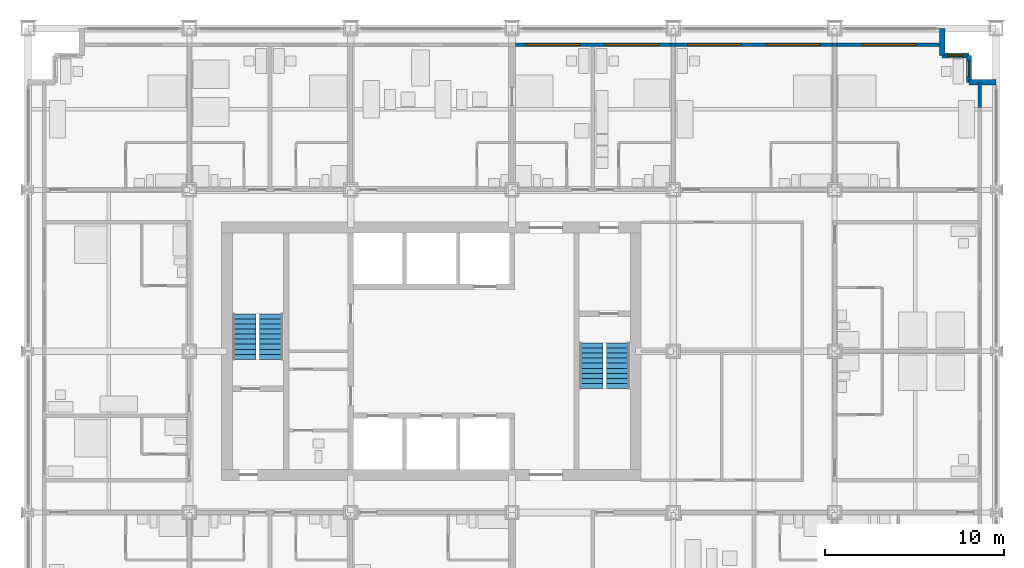
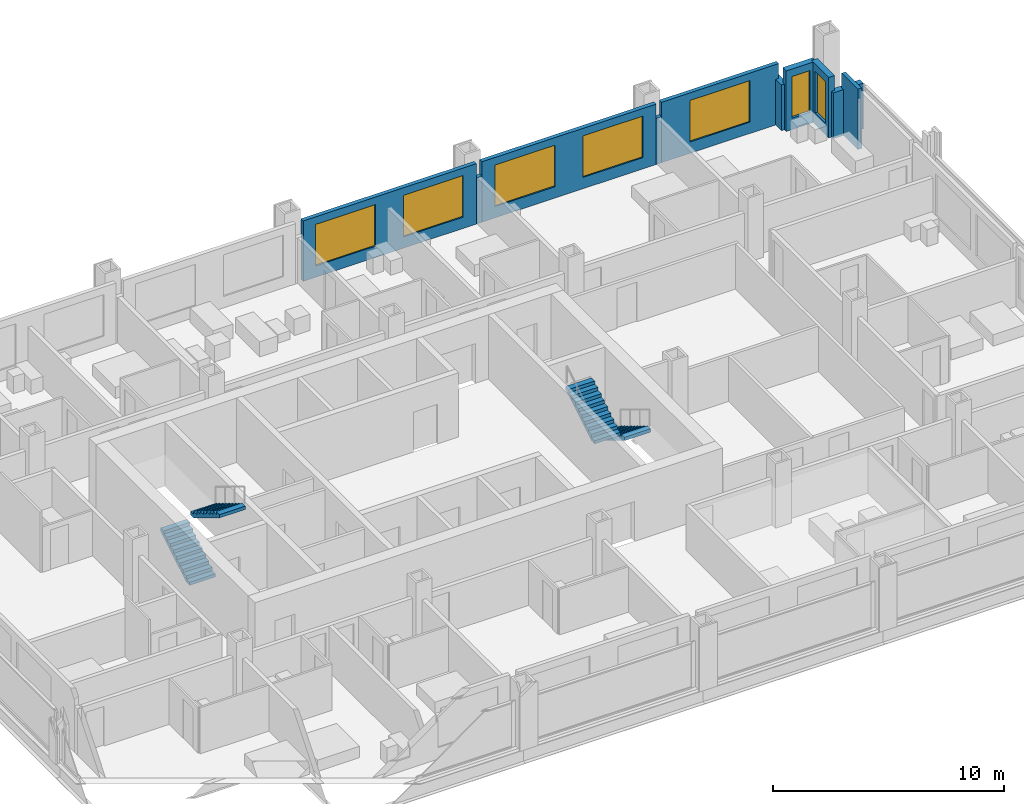
# One storey, part 15 of 18: 10 walls, 7 windows, 4 stair flights, 7 openings, 2 elements without a shape of their own.
"""IFC4 building model written with IfcOpenShell, lengths in metres."""

from ifc_helpers import new_model, si_unit, direction, frame, frame_2d, origin, place, context, subcontext, project, spatial, polyline, rectangle, outline, extrude, material, layer, layer_set, type_object, element, fill, aggregate, save


model = new_model("IFC4")

# Units and contexts
model_context = context("Model", 3, precision=1e-05, world=origin(), true_north=direction((0.0, 1.0)))
body_context = subcontext(model_context, "Body", "Model", "MODEL_VIEW")
ifc_project = project(units=[si_unit("LENGTHUNIT", "METRE"), si_unit("AREAUNIT", "SQUARE_METRE"), si_unit("VOLUMEUNIT", "CUBIC_METRE"), si_unit("PLANEANGLEUNIT", "RADIAN"), si_unit("MASSUNIT", "GRAM", prefix="KILO")], contexts=[model_context])

# Site, building, storey
site_placement = place(None, origin())
site = spatial("IfcSite", under=ifc_project, at=site_placement, CompositionType="ELEMENT")
building_placement = place(site_placement, origin())
building = spatial("IfcBuilding", under=site, at=building_placement, Name="Loomwork Tower", CompositionType="ELEMENT")
storey_placement = place(building_placement, frame((0.0, 0.0, 34.800048828125)))
storey = spatial("IfcBuildingStorey", under=building, at=storey_placement, Name="L07", CompositionType="ELEMENT", Elevation=34.800048828125)

# Wall, openings, windows
ifc_material_1 = material(Name="Insulated steel stud wall with gypsum lining", Category="steel")
ifc_layer_1 = layer(ifc_material_1, 0.199951171875)
ifc_layer_set_1 = layer_set([ifc_layer_1], Name="Inner skin wall 200")
wall_type_1 = type_object("IfcWallType", Name="Inner skin wall 200", PredefinedType="SOLIDWALL", material=ifc_layer_set_1)
wall_1_placement = place(storey_placement, frame((27.19384765625, 35.10009765625, 0.0), z_axis=(0.0, 0.0, 1.0), x_axis=(1.0, 0.0, 0.0)))
wall_1 = element("IfcWall", 1, at=wall_1_placement, inside=storey, type_object=wall_type_1, Name="Inner skin wall N bay 7", PredefinedType="SOLIDWALL", context=body_context, shape_type="SweptSolid", body=[
    extrude(rectangle(XDim=8.670654296875, YDim=0.199951171875, at=frame_2d((4.33544921875, 0.0))), origin(), (0.0, 0.0, 1.0), 3.199951171875),
])
opening_1_placement = place(wall_1_placement, frame((0.606201171875, 0.0, 0.60009765625)))
opening_1 = element("IfcOpeningElement", 2, at=opening_1_placement, cuts=wall_1, Name="Opening CH1", PredefinedType="OPENING", context=body_context, shape_type="SweptSolid", body=[
    extrude(rectangle(XDim=3.0, YDim=2.199951171875, at=frame_2d((1.5, 1.10009765625))), frame((0.0, 0.10986328125, 0.0), z_axis=(0.0, -1.0, 0.0), x_axis=(1.0, 0.0, 0.0)), (0.0, 0.0, 1.0), 0.219970703125),
])
opening_2_placement = place(wall_1_placement, frame((5.006103515625, 0.0, 0.60009765625)))
opening_2 = element("IfcOpeningElement", 3, at=opening_2_placement, cuts=wall_1, Name="Opening CH1", PredefinedType="OPENING", context=body_context, shape_type="SweptSolid", body=[
    extrude(rectangle(XDim=3.0, YDim=2.199951171875, at=frame_2d((1.5, 1.10009765625))), frame((0.0, 0.10986328125, 0.0), z_axis=(0.0, -1.0, 0.0), x_axis=(1.0, 0.0, 0.0)), (0.0, 0.0, 1.0), 0.219970703125),
])
ifc_material_2 = material(Name="Aluminium frame with clear insulated glass", Category="aluminium")
window_type_1 = type_object("IfcWindowType", Name="Chicago window 3000", PartitioningType="TRIPLE_PANEL_VERTICAL", PredefinedType="WINDOW", material=ifc_material_2)
window_1_placement = place(opening_1_placement, origin())
window_1 = element("IfcWindow", 4, at=window_1_placement, inside=storey, type_object=window_type_1, Name="Chicago window L07 bay 10", OverallHeight=2.199951171875, OverallWidth=3.0, PartitioningType="TRIPLE_PANEL_VERTICAL", PredefinedType="WINDOW", context=body_context, shape_type="SweptSolid", body=[
    extrude(rectangle(XDim=3.0, YDim=2.199951171875, at=frame_2d((1.5, 1.10009765625))), frame((0.0, 0.030029296875, 0.0), z_axis=(0.0, -1.0, 0.0), x_axis=(1.0, 0.0, 0.0)), (0.0, 0.0, 1.0), 0.06005859375),
])
fill(opening_1, window_1)
window_2_placement = place(opening_2_placement, origin())
window_2 = element("IfcWindow", 5, at=window_2_placement, inside=storey, type_object=window_type_1, Name="Chicago window L07 bay 10", OverallHeight=2.199951171875, OverallWidth=3.0, PartitioningType="TRIPLE_PANEL_VERTICAL", PredefinedType="WINDOW", context=body_context, shape_type="SweptSolid", body=[
    extrude(rectangle(XDim=3.0, YDim=2.199951171875, at=frame_2d((1.5, 1.10009765625))), frame((0.0, 0.030029296875, 0.0), z_axis=(0.0, -1.0, 0.0), x_axis=(1.0, 0.0, 0.0)), (0.0, 0.0, 1.0), 0.06005859375),
])
fill(opening_2, window_2)

# Wall
wall_2_placement = place(storey_placement, frame((35.864501953125, 35.10009765625, 0.0), z_axis=(0.0, 0.0, 1.0), x_axis=(1.0, 0.0, 0.0)))
element("IfcWall", 6, at=wall_2_placement, inside=storey, type_object=wall_type_1, Name="Inner skin wall N bay 8", PredefinedType="SOLIDWALL", context=body_context, shape_type="SweptSolid", body=[
    extrude(rectangle(XDim=0.27099609375, YDim=0.199951171875, at=frame_2d((0.135498046875, 0.0))), origin(), (0.0, 0.0, 1.0), 2.43798828125),
])

# Wall, openings, windows
wall_3_placement = place(storey_placement, frame((36.135498046875, 35.10009765625, 0.0), z_axis=(0.0, 0.0, 1.0), x_axis=(1.0, 0.0, 0.0)))
wall_3 = element("IfcWall", 7, at=wall_3_placement, inside=storey, type_object=wall_type_1, Name="Inner skin wall N bay 9", PredefinedType="SOLIDWALL", context=body_context, shape_type="SweptSolid", body=[
    extrude(rectangle(XDim=8.72900390625, YDim=0.199951171875, at=frame_2d((4.364501953125, 0.0))), origin(), (0.0, 0.0, 1.0), 3.199951171875),
])
opening_3_placement = place(wall_3_placement, frame((0.66455078125, 0.0, 0.60009765625)))
opening_3 = element("IfcOpeningElement", 8, at=opening_3_placement, cuts=wall_3, Name="Opening CH1", PredefinedType="OPENING", context=body_context, shape_type="SweptSolid", body=[
    extrude(rectangle(XDim=3.0, YDim=2.199951171875, at=frame_2d((1.5, 1.10009765625))), frame((0.0, 0.10986328125, 0.0), z_axis=(0.0, -1.0, 0.0), x_axis=(1.0, 0.0, 0.0)), (0.0, 0.0, 1.0), 0.219970703125),
])
opening_4_placement = place(wall_3_placement, frame((5.064697265625, 0.0, 0.60009765625)))
opening_4 = element("IfcOpeningElement", 9, at=opening_4_placement, cuts=wall_3, Name="Opening CH1", PredefinedType="OPENING", context=body_context, shape_type="SweptSolid", body=[
    extrude(rectangle(XDim=3.0, YDim=2.199951171875, at=frame_2d((1.5, 1.10009765625))), frame((0.0, 0.10986328125, 0.0), z_axis=(0.0, -1.0, 0.0), x_axis=(1.0, 0.0, 0.0)), (0.0, 0.0, 1.0), 0.219970703125),
])
window_3_placement = place(opening_3_placement, origin())
window_3 = element("IfcWindow", 10, at=window_3_placement, inside=storey, type_object=window_type_1, Name="Chicago window L07 bay 11", OverallHeight=2.199951171875, OverallWidth=3.0, PartitioningType="TRIPLE_PANEL_VERTICAL", PredefinedType="WINDOW", context=body_context, shape_type="SweptSolid", body=[
    extrude(rectangle(XDim=3.0, YDim=2.199951171875, at=frame_2d((1.5, 1.10009765625))), frame((0.0, 0.030029296875, 0.0), z_axis=(0.0, -1.0, 0.0), x_axis=(1.0, 0.0, 0.0)), (0.0, 0.0, 1.0), 0.06005859375),
])
fill(opening_3, window_3)
window_4_placement = place(opening_4_placement, origin())
window_4 = element("IfcWindow", 11, at=window_4_placement, inside=storey, type_object=window_type_1, Name="Chicago window L07 bay 11", OverallHeight=2.199951171875, OverallWidth=3.0, PartitioningType="TRIPLE_PANEL_VERTICAL", PredefinedType="WINDOW", context=body_context, shape_type="SweptSolid", body=[
    extrude(rectangle(XDim=3.0, YDim=2.199951171875, at=frame_2d((1.5, 1.10009765625))), frame((0.0, 0.030029296875, 0.0), z_axis=(0.0, -1.0, 0.0), x_axis=(1.0, 0.0, 0.0)), (0.0, 0.0, 1.0), 0.06005859375),
])
fill(opening_4, window_4)

# Wall
wall_4_placement = place(storey_placement, frame((44.864501953125, 35.10009765625, 0.0), z_axis=(0.0, 0.0, 1.0), x_axis=(1.0, 0.0, 0.0)))
element("IfcWall", 12, at=wall_4_placement, inside=storey, type_object=wall_type_1, Name="Inner skin wall N bay 10", PredefinedType="SOLIDWALL", context=body_context, shape_type="SweptSolid", body=[
    extrude(rectangle(XDim=0.27099609375, YDim=0.199951171875, at=frame_2d((0.135498046875, 0.0))), origin(), (0.0, 0.0, 1.0), 2.43798828125),
])

# Wall, opening, window
wall_5_placement = place(storey_placement, frame((45.135498046875, 35.10009765625, 0.0), z_axis=(0.0, 0.0, 1.0), x_axis=(1.0, 0.0, 0.0)))
wall_5 = element("IfcWall", 13, at=wall_5_placement, inside=storey, type_object=wall_type_1, Name="Inner skin wall N bay 11", PredefinedType="SOLIDWALL", context=body_context, shape_type="SweptSolid", body=[
    extrude(rectangle(XDim=5.864501953125, YDim=0.199951171875, at=frame_2d((2.93212890625, 0.0))), origin(), (0.0, 0.0, 1.0), 3.199951171875),
])
opening_5_placement = place(wall_5_placement, frame((1.41455078125, 0.0, 0.60009765625)))
opening_5 = element("IfcOpeningElement", 14, at=opening_5_placement, cuts=wall_5, Name="Opening CH1", PredefinedType="OPENING", context=body_context, shape_type="SweptSolid", body=[
    extrude(rectangle(XDim=3.0, YDim=2.199951171875, at=frame_2d((1.5, 1.10009765625))), frame((0.0, 0.10986328125, 0.0), z_axis=(0.0, -1.0, 0.0), x_axis=(1.0, 0.0, 0.0)), (0.0, 0.0, 1.0), 0.219970703125),
])
window_5_placement = place(opening_5_placement, origin())
window_5 = element("IfcWindow", 15, at=window_5_placement, inside=storey, type_object=window_type_1, Name="Chicago window L07 bay 12", OverallHeight=2.199951171875, OverallWidth=3.0, PartitioningType="TRIPLE_PANEL_VERTICAL", PredefinedType="WINDOW", context=body_context, shape_type="SweptSolid", body=[
    extrude(rectangle(XDim=3.0, YDim=2.199951171875, at=frame_2d((1.5, 1.10009765625))), frame((0.0, 0.030029296875, 0.0), z_axis=(0.0, -1.0, 0.0), x_axis=(1.0, 0.0, 0.0)), (0.0, 0.0, 1.0), 0.06005859375),
])
fill(opening_5, window_5)

# Walls
wall_6_placement = place(storey_placement, frame((53.10009765625, 31.607421875, 0.0), z_axis=(0.0, 0.0, 1.0), x_axis=(0.0, 1.0, 0.0)))
element("IfcWall", 16, at=wall_6_placement, inside=storey, type_object=wall_type_1, Name="Inner skin wall E bay 11", PredefinedType="SOLIDWALL", context=body_context, shape_type="SweptSolid", body=[
    extrude(rectangle(XDim=1.392578125, YDim=0.199951171875, at=frame_2d((0.6962890625, 0.0))), origin(), (0.0, 0.0, 1.0), 3.199951171875),
])
ifc_material_3 = material(Name="Limestone on concrete masonry", Category="masonry")
ifc_layer_2 = layer(ifc_material_3, 0.300048828125)
ifc_layer_set_2 = layer_set([ifc_layer_2], Name="Limestone corner wall 300")
wall_type_2 = type_object("IfcWallType", Name="Limestone corner wall 300", PredefinedType="SOLIDWALL", material=ifc_layer_set_2)
wall_7_placement = place(storey_placement, frame((54.0, 33.0, 0.0), z_axis=(0.0, 0.0, 1.0), x_axis=(-1.0, 0.0, 0.0)))
element("IfcWall", 17, at=wall_7_placement, inside=storey, type_object=wall_type_2, Name="Stone corner wall NE 1", PredefinedType="SOLIDWALL", context=body_context, shape_type="SweptSolid", body=[
    extrude(rectangle(XDim=1.5, YDim=0.300048828125, at=frame_2d((0.75, 0.0))), origin(), (0.0, 0.0, 1.0), 2.419921875),
])

# Wall, opening, window
wall_8_placement = place(storey_placement, frame((52.5, 33.0, 0.0), z_axis=(0.0, 0.0, 1.0), x_axis=(0.0, 1.0, 0.0)))
wall_8 = element("IfcWall", 18, at=wall_8_placement, inside=storey, type_object=wall_type_2, Name="Stone corner wall NE 2", PredefinedType="SOLIDWALL", context=body_context, shape_type="SweptSolid", body=[
    extrude(rectangle(XDim=1.5, YDim=0.300048828125, at=frame_2d((0.75, 0.0))), origin(), (0.0, 0.0, 1.0), 3.199951171875),
])
opening_6_placement = place(wall_8_placement, frame((0.300048828125, 0.0, 0.60009765625)))
opening_6 = element("IfcOpeningElement", 19, at=opening_6_placement, cuts=wall_8, Name="Opening CH2", PredefinedType="OPENING", context=body_context, shape_type="SweptSolid", body=[
    extrude(rectangle(XDim=0.89990234375, YDim=2.199951171875, at=frame_2d((0.449951171875, 1.10009765625))), frame((0.0, 0.159912109375, 0.0), z_axis=(0.0, -1.0, 0.0), x_axis=(1.0, 0.0, 0.0)), (0.0, 0.0, 1.0), 0.320068359375),
])
ifc_material_4 = material(Name="Aluminium frame with clear insulated glass", Category="aluminium")
window_type_2 = type_object("IfcWindowType", Name="Corner window 900", PartitioningType="SINGLE_PANEL", PredefinedType="WINDOW", material=ifc_material_4)
window_6_placement = place(opening_6_placement, origin())
window_6 = element("IfcWindow", 20, at=window_6_placement, inside=storey, type_object=window_type_2, Name="Corner window NE", OverallHeight=2.199951171875, OverallWidth=0.89990234375, PartitioningType="SINGLE_PANEL", PredefinedType="WINDOW", context=body_context, shape_type="SweptSolid", body=[
    extrude(rectangle(XDim=0.89990234375, YDim=2.199951171875, at=frame_2d((0.449951171875, 1.10009765625))), frame((0.0, 0.030029296875, 0.0), z_axis=(0.0, -1.0, 0.0), x_axis=(1.0, 0.0, 0.0)), (0.0, 0.0, 1.0), 0.06005859375),
])
fill(opening_6, window_6)

wall_9_placement = place(storey_placement, frame((52.5, 34.5, 0.0), z_axis=(0.0, 0.0, 1.0), x_axis=(-1.0, 0.0, 0.0)))
wall_9 = element("IfcWall", 21, at=wall_9_placement, inside=storey, type_object=wall_type_2, Name="Stone corner wall NE 3", PredefinedType="SOLIDWALL", context=body_context, shape_type="SweptSolid", body=[
    extrude(rectangle(XDim=1.5, YDim=0.300048828125, at=frame_2d((0.75, 0.0))), origin(), (0.0, 0.0, 1.0), 3.199951171875),
])
opening_7_placement = place(wall_9_placement, frame((0.300048828125, 0.0, 0.60009765625)))
opening_7 = element("IfcOpeningElement", 22, at=opening_7_placement, cuts=wall_9, Name="Opening CH2", PredefinedType="OPENING", context=body_context, shape_type="SweptSolid", body=[
    extrude(rectangle(XDim=0.89990234375, YDim=2.199951171875, at=frame_2d((0.449951171875, 1.10009765625))), frame((0.0, 0.159912109375, 0.0), z_axis=(0.0, -1.0, 0.0), x_axis=(1.0, 0.0, 0.0)), (0.0, 0.0, 1.0), 0.320068359375),
])
window_7_placement = place(opening_7_placement, origin())
window_7 = element("IfcWindow", 23, at=window_7_placement, inside=storey, type_object=window_type_2, Name="Corner window NE", OverallHeight=2.199951171875, OverallWidth=0.89990234375, PartitioningType="SINGLE_PANEL", PredefinedType="WINDOW", context=body_context, shape_type="SweptSolid", body=[
    extrude(rectangle(XDim=0.89990234375, YDim=2.199951171875, at=frame_2d((0.449951171875, 1.10009765625))), frame((0.0, 0.030029296875, 0.0), z_axis=(0.0, -1.0, 0.0), x_axis=(1.0, 0.0, 0.0)), (0.0, 0.0, 1.0), 0.06005859375),
])
fill(opening_7, window_7)

# Wall
wall_10_placement = place(storey_placement, frame((51.0, 34.5, 0.0), z_axis=(0.0, 0.0, 1.0), x_axis=(0.0, 1.0, 0.0)))
element("IfcWall", 24, at=wall_10_placement, inside=storey, type_object=wall_type_2, Name="Stone corner wall NE 4", PredefinedType="SOLIDWALL", context=body_context, shape_type="SweptSolid", body=[
    extrude(rectangle(XDim=1.5, YDim=0.300048828125, at=frame_2d((0.75, 0.0))), origin(), (0.0, 0.0, 1.0), 2.419921875),
])

# Stair, stair flights
ifc_material_5 = material(Name="Concrete 5000 psi (34 MPa) precast stair", Category="concrete")
stair_type_1 = type_object("IfcStairType", Name="Stair ST-A 20 risers 2850 wide", PredefinedType="HALF_TURN_STAIR", material=ifc_material_5)
stair_1_placement = place(storey_placement, origin())
stair_1 = element("IfcStair", 25, at=stair_1_placement, inside=storey, type_object=stair_type_1, Name="Stair A L07", PredefinedType="HALF_TURN_STAIR")
ifc_material_6 = material(Name="Concrete 5000 psi (34 MPa) precast stair", Category="concrete")
stair_flight_type_1 = type_object("IfcStairFlightType", Name="Stair flight ST-A 10 risers 1300 wide", PredefinedType="STRAIGHT", material=ifc_material_6)
stair_flight_1_placement = place(storey_placement, frame((12.074951171875, 17.550048828125, 0.0), z_axis=(0.0, 0.0, 1.0), x_axis=(0.0, 1.0, 0.0)))
stair_flight_1 = element("IfcStairFlight", 26, at=stair_flight_1_placement, type_object=stair_flight_type_1, Name="ST-A flight 1", NumberOfRisers=10, NumberOfTreads=9, PredefinedType="STRAIGHT", RiserHeight=0.17, TreadLength=0.28, context=body_context, shape_type="SweptSolid", body=[
    extrude(outline(polyline([(0.0, 0.0), (0.0, 0.169921875), (0.280029296875, 0.169921875), (0.280029296875, 0.340087890625), (0.56005859375, 0.340087890625), (0.56005859375, 0.510009765625), (0.840087890625, 0.510009765625), (0.840087890625, 0.679931640625), (1.1201171875, 0.679931640625), (1.1201171875, 0.85009765625), (1.39990234375, 0.85009765625), (1.39990234375, 1.02001953125), (1.679931640625, 1.02001953125), (1.679931640625, 1.18994140625), (1.9599609375, 1.18994140625), (1.9599609375, 1.360107421875), (2.239990234375, 1.360107421875), (2.239990234375, 1.530029296875), (2.52001953125, 1.530029296875), (2.52001953125, 1.699951171875), (2.52001953125, 1.354736328125), (0.288818359375, 0.0), (0.0, 0.0)])), frame((0.0, 0.64990234375, 0.0), z_axis=(0.0, -1.0, 0.0), x_axis=(1.0, 0.0, 0.0)), (0.0, 0.0, 1.0), 1.300048828125),
])
stair_flight_2_placement = place(storey_placement, frame((13.574951171875, 20.070068359375, 1.699951171875), z_axis=(0.0, 0.0, 1.0), x_axis=(0.0, -1.0, 0.0)))
stair_flight_2 = element("IfcStairFlight", 27, at=stair_flight_2_placement, type_object=stair_flight_type_1, Name="ST-A flight 2", NumberOfRisers=10, NumberOfTreads=9, PredefinedType="STRAIGHT", RiserHeight=0.17, TreadLength=0.28, context=body_context, shape_type="SweptSolid", body=[
    extrude(outline(polyline([(0.0, 0.0), (0.0, 0.169921875), (0.280029296875, 0.169921875), (0.280029296875, 0.340087890625), (0.56005859375, 0.340087890625), (0.56005859375, 0.510009765625), (0.840087890625, 0.510009765625), (0.840087890625, 0.679931640625), (1.1201171875, 0.679931640625), (1.1201171875, 0.85009765625), (1.39990234375, 0.85009765625), (1.39990234375, 1.02001953125), (1.679931640625, 1.02001953125), (1.679931640625, 1.18994140625), (1.9599609375, 1.18994140625), (1.9599609375, 1.360107421875), (2.239990234375, 1.360107421875), (2.239990234375, 1.530029296875), (2.52001953125, 1.530029296875), (2.52001953125, 1.699951171875), (2.52001953125, 1.354736328125), (0.288818359375, 0.0), (0.0, 0.0)])), frame((0.0, 0.64990234375, 0.0), z_axis=(0.0, -1.0, 0.0), x_axis=(1.0, 0.0, 0.0)), (0.0, 0.0, 1.0), 1.300048828125),
])
aggregate(stair_1, [stair_flight_1, stair_flight_2])

ifc_material_7 = material(Name="Concrete 5000 psi (34 MPa) precast stair", Category="concrete")
stair_type_2 = type_object("IfcStairType", Name="Stair ST-B 20 risers 2850 wide", PredefinedType="HALF_TURN_STAIR", material=ifc_material_7)
stair_2_placement = place(storey_placement, origin())
stair_2 = element("IfcStair", 28, at=stair_2_placement, inside=storey, type_object=stair_type_2, Name="Stair B L07", PredefinedType="HALF_TURN_STAIR")
ifc_material_8 = material(Name="Concrete 5000 psi (34 MPa) precast stair", Category="concrete")
stair_flight_type_2 = type_object("IfcStairFlightType", Name="Stair flight ST-B 10 risers 1300 wide", PredefinedType="STRAIGHT", material=ifc_material_8)
stair_flight_3_placement = place(storey_placement, frame((32.925048828125, 18.449951171875, 0.0), z_axis=(0.0, 0.0, 1.0), x_axis=(0.0, -1.0, 0.0)))
stair_flight_3 = element("IfcStairFlight", 29, at=stair_flight_3_placement, type_object=stair_flight_type_2, Name="ST-B flight 1", NumberOfRisers=10, NumberOfTreads=9, PredefinedType="STRAIGHT", RiserHeight=0.17, TreadLength=0.28, context=body_context, shape_type="SweptSolid", body=[
    extrude(outline(polyline([(0.0, 0.0), (0.0, 0.169921875), (0.280029296875, 0.169921875), (0.280029296875, 0.340087890625), (0.56005859375, 0.340087890625), (0.56005859375, 0.510009765625), (0.840087890625, 0.510009765625), (0.840087890625, 0.679931640625), (1.1201171875, 0.679931640625), (1.1201171875, 0.85009765625), (1.39990234375, 0.85009765625), (1.39990234375, 1.02001953125), (1.679931640625, 1.02001953125), (1.679931640625, 1.18994140625), (1.9599609375, 1.18994140625), (1.9599609375, 1.360107421875), (2.239990234375, 1.360107421875), (2.239990234375, 1.530029296875), (2.52001953125, 1.530029296875), (2.52001953125, 1.699951171875), (2.52001953125, 1.354736328125), (0.288818359375, 0.0), (0.0, 0.0)])), frame((0.0, 0.64990234375, 0.0), z_axis=(0.0, -1.0, 0.0), x_axis=(1.0, 0.0, 0.0)), (0.0, 0.0, 1.0), 1.300048828125),
])
stair_flight_4_placement = place(storey_placement, frame((31.425048828125, 15.929931640625, 1.699951171875), z_axis=(0.0, 0.0, 1.0), x_axis=(0.0, 1.0, 0.0)))
stair_flight_4 = element("IfcStairFlight", 30, at=stair_flight_4_placement, type_object=stair_flight_type_2, Name="ST-B flight 2", NumberOfRisers=10, NumberOfTreads=9, PredefinedType="STRAIGHT", RiserHeight=0.17, TreadLength=0.28, context=body_context, shape_type="SweptSolid", body=[
    extrude(outline(polyline([(0.0, 0.0), (0.0, 0.169921875), (0.280029296875, 0.169921875), (0.280029296875, 0.340087890625), (0.56005859375, 0.340087890625), (0.56005859375, 0.510009765625), (0.840087890625, 0.510009765625), (0.840087890625, 0.679931640625), (1.1201171875, 0.679931640625), (1.1201171875, 0.85009765625), (1.39990234375, 0.85009765625), (1.39990234375, 1.02001953125), (1.679931640625, 1.02001953125), (1.679931640625, 1.18994140625), (1.9599609375, 1.18994140625), (1.9599609375, 1.360107421875), (2.239990234375, 1.360107421875), (2.239990234375, 1.530029296875), (2.52001953125, 1.530029296875), (2.52001953125, 1.699951171875), (2.52001953125, 1.354736328125), (0.288818359375, 0.0), (0.0, 0.0)])), frame((0.0, 0.64990234375, 0.0), z_axis=(0.0, -1.0, 0.0), x_axis=(1.0, 0.0, 0.0)), (0.0, 0.0, 1.0), 1.300048828125),
])
aggregate(stair_2, [stair_flight_3, stair_flight_4])

save(model, "model.ifc")
